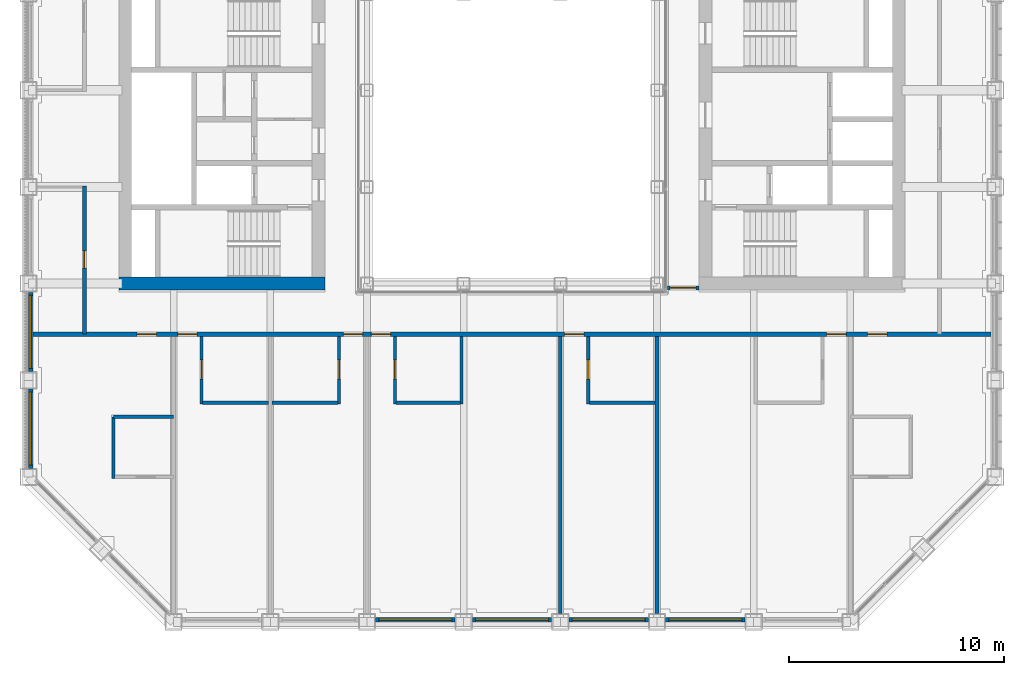
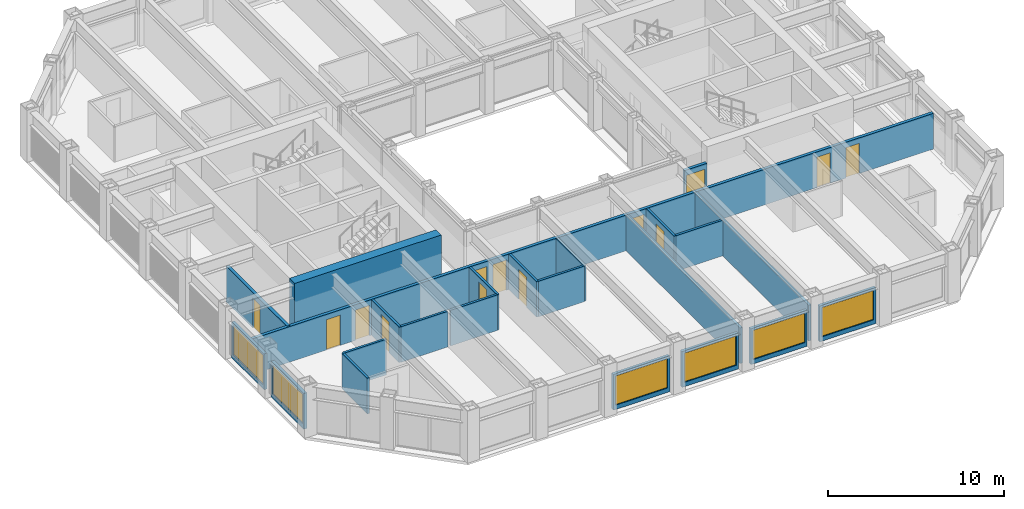
# One storey, part 10 of 17: 23 walls, 13 doors, 6 windows, 19 openings.
"""IFC4 building model written with IfcOpenShell, lengths in metres."""

from ifc_helpers import new_model, si_unit, direction, frame, frame_2d, origin, place, context, subcontext, project, spatial, rectangle, extrude, material, layer, layer_set, type_object, element, fill, save


model = new_model("IFC4")

# Units and contexts
model_context = context("Model", 3, precision=1e-05, world=origin(), true_north=direction((0.0, 1.0)))
body_context = subcontext(model_context, "Body", "Model", "MODEL_VIEW")
ifc_project = project(units=[si_unit("LENGTHUNIT", "METRE"), si_unit("AREAUNIT", "SQUARE_METRE"), si_unit("VOLUMEUNIT", "CUBIC_METRE"), si_unit("PLANEANGLEUNIT", "RADIAN"), si_unit("MASSUNIT", "GRAM", prefix="KILO")], contexts=[model_context])

# Site, building, storey
site_placement = place(None, origin())
site = spatial("IfcSite", under=ifc_project, at=site_placement, CompositionType="ELEMENT")
building_placement = place(site_placement, origin())
building = spatial("IfcBuilding", under=site, at=building_placement, Name="Msasa Ring Tower", CompositionType="ELEMENT")
storey_placement = place(building_placement, frame((0.0, 0.0, 143.60009765625)))
storey = spatial("IfcBuildingStorey", under=building, at=storey_placement, Name="L37", CompositionType="ELEMENT", Elevation=143.60009765625)

# Wall
ifc_material_1 = material(Name="Concrete C60/75", Category="concrete")
ifc_layer_1 = layer(ifc_material_1, 0.60009765625)
ifc_layer_set_1 = layer_set([ifc_layer_1], Name="CW2 CORE WALL 600")
wall_type_1 = type_object("IfcWallType", Name="CW2 CORE WALL 600", PredefinedType="SHEAR", material=ifc_layer_set_1)
wall_1_placement = place(storey_placement, frame((-8.699951171875, -6.75, 0.0), z_axis=(0.0, 0.0, 1.0), x_axis=(-1.0, 0.0, 0.0)))
element("IfcWall", 1, at=wall_1_placement, inside=storey, type_object=wall_type_1, Name="W core wall S L37", PredefinedType="SHEAR", context=body_context, shape_type="SweptSolid", body=[
    extrude(rectangle(XDim=9.60009765625, YDim=0.60009765625, at=frame_2d((4.800048828125, 0.0))), origin(), (0.0, 0.0, 1.0), 3.599853515625),
])

# Wall, opening, window
ifc_material_2 = material(Name="Terracotta rainscreen on blockwork", Category="masonry")
ifc_layer_2 = layer(ifc_material_2, 0.199951171875)
ifc_layer_set_2 = layer_set([ifc_layer_2], Name="FW1 TERRACOTTA-LINED INFILL BAY WALL 200")
wall_type_2 = type_object("IfcWallType", Name="FW1 TERRACOTTA-LINED INFILL BAY WALL 200", PredefinedType="SOLIDWALL", material=ifc_layer_set_2)
wall_2_placement = place(storey_placement, frame((-6.344970703125, -22.39990234375, 0.0), z_axis=(0.0, 0.0, 1.0), x_axis=(1.0, 0.0, 0.0)))
wall_2 = element("IfcWall", 2, at=wall_2_placement, inside=storey, type_object=wall_type_2, Name="Infill bay wall S L37 02", PredefinedType="SOLIDWALL", context=body_context, shape_type="SweptSolid", body=[
    extrude(rectangle(XDim=3.68994140625, YDim=0.199951171875, at=frame_2d((1.844970703125, 0.0))), origin(), (0.0, 0.0, 1.0), 2.47900390625),
])
opening_1_placement = place(wall_2_placement, frame((0.14501953125, 0.0, 0.300048828125)))
opening_1 = element("IfcOpeningElement", 3, at=opening_1_placement, cuts=wall_2, Name="Opening WN2", PredefinedType="OPENING", context=body_context, shape_type="SweptSolid", body=[
    extrude(rectangle(XDim=3.39990234375, YDim=2.029052734375, at=frame_2d((1.699951171875, 1.0146484375))), frame((0.0, 0.10986328125, 0.0), z_axis=(0.0, -1.0, 0.0), x_axis=(1.0, 0.0, 0.0)), (0.0, 0.0, 1.0), 0.219970703125),
])
ifc_material_3 = material(Name="Aluminium frame with clear glass", Category="aluminium")
window_type = type_object("IfcWindowType", Name="WN2 GUEST ROOM WINDOW 3400x2029", PartitioningType="SINGLE_PANEL", PredefinedType="WINDOW", material=ifc_material_3)
window_1_placement = place(opening_1_placement, origin())
window_1 = element("IfcWindow", 4, at=window_1_placement, inside=storey, type_object=window_type, Name="Window S L37 02", OverallHeight=2.029052734375, OverallWidth=3.39990234375, PartitioningType="SINGLE_PANEL", PredefinedType="WINDOW", context=body_context, shape_type="SweptSolid", body=[
    extrude(rectangle(XDim=3.39990234375, YDim=2.029052734375, at=frame_2d((1.699951171875, 1.0146484375))), frame((0.0, 0.030029296875, 0.0), z_axis=(0.0, -1.0, 0.0), x_axis=(1.0, 0.0, 0.0)), (0.0, 0.0, 1.0), 0.06005859375),
])
fill(opening_1, window_1)

wall_3_placement = place(storey_placement, frame((-1.844970703125, -22.39990234375, 0.0), z_axis=(0.0, 0.0, 1.0), x_axis=(1.0, 0.0, 0.0)))
wall_3 = element("IfcWall", 5, at=wall_3_placement, inside=storey, type_object=wall_type_2, Name="Infill bay wall S L37 03", PredefinedType="SOLIDWALL", context=body_context, shape_type="SweptSolid", body=[
    extrude(rectangle(XDim=3.68994140625, YDim=0.199951171875, at=frame_2d((1.844970703125, 0.0))), origin(), (0.0, 0.0, 1.0), 2.47900390625),
])
opening_2_placement = place(wall_3_placement, frame((0.14501953125, 0.0, 0.300048828125)))
opening_2 = element("IfcOpeningElement", 6, at=opening_2_placement, cuts=wall_3, Name="Opening WN2", PredefinedType="OPENING", context=body_context, shape_type="SweptSolid", body=[
    extrude(rectangle(XDim=3.39990234375, YDim=2.029052734375, at=frame_2d((1.699951171875, 1.0146484375))), frame((0.0, 0.10986328125, 0.0), z_axis=(0.0, -1.0, 0.0), x_axis=(1.0, 0.0, 0.0)), (0.0, 0.0, 1.0), 0.219970703125),
])
window_2_placement = place(opening_2_placement, origin())
window_2 = element("IfcWindow", 7, at=window_2_placement, inside=storey, type_object=window_type, Name="Window S L37 03", OverallHeight=2.029052734375, OverallWidth=3.39990234375, PartitioningType="SINGLE_PANEL", PredefinedType="WINDOW", context=body_context, shape_type="SweptSolid", body=[
    extrude(rectangle(XDim=3.39990234375, YDim=2.029052734375, at=frame_2d((1.699951171875, 1.0146484375))), frame((0.0, 0.030029296875, 0.0), z_axis=(0.0, -1.0, 0.0), x_axis=(1.0, 0.0, 0.0)), (0.0, 0.0, 1.0), 0.06005859375),
])
fill(opening_2, window_2)

wall_4_placement = place(storey_placement, frame((2.655029296875, -22.39990234375, 0.0), z_axis=(0.0, 0.0, 1.0), x_axis=(1.0, 0.0, 0.0)))
wall_4 = element("IfcWall", 8, at=wall_4_placement, inside=storey, type_object=wall_type_2, Name="Infill bay wall S L37 04", PredefinedType="SOLIDWALL", context=body_context, shape_type="SweptSolid", body=[
    extrude(rectangle(XDim=3.68994140625, YDim=0.199951171875, at=frame_2d((1.844970703125, 0.0))), origin(), (0.0, 0.0, 1.0), 2.47900390625),
])
opening_3_placement = place(wall_4_placement, frame((0.14501953125, 0.0, 0.300048828125)))
opening_3 = element("IfcOpeningElement", 9, at=opening_3_placement, cuts=wall_4, Name="Opening WN2", PredefinedType="OPENING", context=body_context, shape_type="SweptSolid", body=[
    extrude(rectangle(XDim=3.39990234375, YDim=2.029052734375, at=frame_2d((1.699951171875, 1.0146484375))), frame((0.0, 0.10986328125, 0.0), z_axis=(0.0, -1.0, 0.0), x_axis=(1.0, 0.0, 0.0)), (0.0, 0.0, 1.0), 0.219970703125),
])
window_3_placement = place(opening_3_placement, origin())
window_3 = element("IfcWindow", 10, at=window_3_placement, inside=storey, type_object=window_type, Name="Window S L37 04", OverallHeight=2.029052734375, OverallWidth=3.39990234375, PartitioningType="SINGLE_PANEL", PredefinedType="WINDOW", context=body_context, shape_type="SweptSolid", body=[
    extrude(rectangle(XDim=3.39990234375, YDim=2.029052734375, at=frame_2d((1.699951171875, 1.0146484375))), frame((0.0, 0.030029296875, 0.0), z_axis=(0.0, -1.0, 0.0), x_axis=(1.0, 0.0, 0.0)), (0.0, 0.0, 1.0), 0.06005859375),
])
fill(opening_3, window_3)

wall_5_placement = place(storey_placement, frame((7.155029296875, -22.39990234375, 0.0), z_axis=(0.0, 0.0, 1.0), x_axis=(1.0, 0.0, 0.0)))
wall_5 = element("IfcWall", 11, at=wall_5_placement, inside=storey, type_object=wall_type_2, Name="Infill bay wall S L37 05", PredefinedType="SOLIDWALL", context=body_context, shape_type="SweptSolid", body=[
    extrude(rectangle(XDim=3.68994140625, YDim=0.199951171875, at=frame_2d((1.844970703125, 0.0))), origin(), (0.0, 0.0, 1.0), 2.47900390625),
])
opening_4_placement = place(wall_5_placement, frame((0.14501953125, 0.0, 0.300048828125)))
opening_4 = element("IfcOpeningElement", 12, at=opening_4_placement, cuts=wall_5, Name="Opening WN2", PredefinedType="OPENING", context=body_context, shape_type="SweptSolid", body=[
    extrude(rectangle(XDim=3.39990234375, YDim=2.029052734375, at=frame_2d((1.699951171875, 1.0146484375))), frame((0.0, 0.10986328125, 0.0), z_axis=(0.0, -1.0, 0.0), x_axis=(1.0, 0.0, 0.0)), (0.0, 0.0, 1.0), 0.219970703125),
])
window_4_placement = place(opening_4_placement, origin())
window_4 = element("IfcWindow", 13, at=window_4_placement, inside=storey, type_object=window_type, Name="Window S L37 05", OverallHeight=2.029052734375, OverallWidth=3.39990234375, PartitioningType="SINGLE_PANEL", PredefinedType="WINDOW", context=body_context, shape_type="SweptSolid", body=[
    extrude(rectangle(XDim=3.39990234375, YDim=2.029052734375, at=frame_2d((1.699951171875, 1.0146484375))), frame((0.0, 0.030029296875, 0.0), z_axis=(0.0, -1.0, 0.0), x_axis=(1.0, 0.0, 0.0)), (0.0, 0.0, 1.0), 0.06005859375),
])
fill(opening_4, window_4)

wall_6_placement = place(storey_placement, frame((-22.39990234375, -15.344970703125, 0.0), z_axis=(0.0, 0.0, 1.0), x_axis=(0.0, 1.0, 0.0)))
wall_6 = element("IfcWall", 14, at=wall_6_placement, inside=storey, type_object=wall_type_2, Name="Infill bay wall W L37 27", PredefinedType="SOLIDWALL", context=body_context, shape_type="SweptSolid", body=[
    extrude(rectangle(XDim=3.68994140625, YDim=0.199951171875, at=frame_2d((1.844970703125, 0.0))), origin(), (0.0, 0.0, 1.0), 2.47900390625),
])
opening_5_placement = place(wall_6_placement, frame((0.14501953125, 0.0, 0.300048828125)))
opening_5 = element("IfcOpeningElement", 15, at=opening_5_placement, cuts=wall_6, Name="Opening WN2", PredefinedType="OPENING", context=body_context, shape_type="SweptSolid", body=[
    extrude(rectangle(XDim=3.39990234375, YDim=2.029052734375, at=frame_2d((1.699951171875, 1.0146484375))), frame((0.0, 0.10986328125, 0.0), z_axis=(0.0, -1.0, 0.0), x_axis=(1.0, 0.0, 0.0)), (0.0, 0.0, 1.0), 0.219970703125),
])
window_5_placement = place(opening_5_placement, origin())
window_5 = element("IfcWindow", 16, at=window_5_placement, inside=storey, type_object=window_type, Name="Window W L37 27", OverallHeight=2.029052734375, OverallWidth=3.39990234375, PartitioningType="SINGLE_PANEL", PredefinedType="WINDOW", context=body_context, shape_type="SweptSolid", body=[
    extrude(rectangle(XDim=3.39990234375, YDim=2.029052734375, at=frame_2d((1.699951171875, 1.0146484375))), frame((0.0, 0.030029296875, 0.0), z_axis=(0.0, -1.0, 0.0), x_axis=(1.0, 0.0, 0.0)), (0.0, 0.0, 1.0), 0.06005859375),
])
fill(opening_5, window_5)

wall_7_placement = place(storey_placement, frame((-22.39990234375, -10.844970703125, 0.0), z_axis=(0.0, 0.0, 1.0), x_axis=(0.0, 1.0, 0.0)))
wall_7 = element("IfcWall", 17, at=wall_7_placement, inside=storey, type_object=wall_type_2, Name="Infill bay wall W L37 28", PredefinedType="SOLIDWALL", context=body_context, shape_type="SweptSolid", body=[
    extrude(rectangle(XDim=3.68994140625, YDim=0.199951171875, at=frame_2d((1.844970703125, 0.0))), origin(), (0.0, 0.0, 1.0), 2.47900390625),
])
opening_6_placement = place(wall_7_placement, frame((0.14501953125, 0.0, 0.300048828125)))
opening_6 = element("IfcOpeningElement", 18, at=opening_6_placement, cuts=wall_7, Name="Opening WN2", PredefinedType="OPENING", context=body_context, shape_type="SweptSolid", body=[
    extrude(rectangle(XDim=3.39990234375, YDim=2.029052734375, at=frame_2d((1.699951171875, 1.0146484375))), frame((0.0, 0.10986328125, 0.0), z_axis=(0.0, -1.0, 0.0), x_axis=(1.0, 0.0, 0.0)), (0.0, 0.0, 1.0), 0.219970703125),
])
window_6_placement = place(opening_6_placement, origin())
window_6 = element("IfcWindow", 19, at=window_6_placement, inside=storey, type_object=window_type, Name="Window W L37 28", OverallHeight=2.029052734375, OverallWidth=3.39990234375, PartitioningType="SINGLE_PANEL", PredefinedType="WINDOW", context=body_context, shape_type="SweptSolid", body=[
    extrude(rectangle(XDim=3.39990234375, YDim=2.029052734375, at=frame_2d((1.699951171875, 1.0146484375))), frame((0.0, 0.030029296875, 0.0), z_axis=(0.0, -1.0, 0.0), x_axis=(1.0, 0.0, 0.0)), (0.0, 0.0, 1.0), 0.06005859375),
])
fill(opening_6, window_6)

# Wall, opening, door
ifc_material_4 = material(Name="Concrete blockwork", Category="masonry")
ifc_layer_3 = layer(ifc_material_4, 0.199951171875)
ifc_layer_set_3 = layer_set([ifc_layer_3], Name="PT1 CORRIDOR WALL 200")
wall_type_3 = type_object("IfcWallType", Name="PT1 CORRIDOR WALL 200", PredefinedType="PARTITIONING", material=ifc_layer_set_3)
wall_8_placement = place(storey_placement, frame((7.22998046875, -6.949951171875, 0.0), z_axis=(0.0, 0.0, 1.0), x_axis=(1.0, 0.0, 0.0)))
wall_8 = element("IfcWall", 20, at=wall_8_placement, inside=storey, type_object=wall_type_3, Name="Corridor wall L37-SDES", PredefinedType="PARTITIONING", context=body_context, shape_type="SweptSolid", body=[
    extrude(rectangle(XDim=1.469970703125, YDim=0.199951171875, at=frame_2d((0.73486328125, 0.0))), origin(), (0.0, 0.0, 1.0), 2.473388671875),
])
opening_7_placement = place(wall_8_placement, frame((0.135009765625, 0.0, 0.0)))
opening_7 = element("IfcOpeningElement", 21, at=opening_7_placement, cuts=wall_8, Name="Opening HC-033", PredefinedType="OPENING", context=body_context, shape_type="SweptSolid", body=[
    extrude(rectangle(XDim=1.199951171875, YDim=2.10009765625, at=frame_2d((0.60009765625, 1.050048828125))), frame((0.0, 0.10986328125, 0.0), z_axis=(0.0, -1.0, 0.0), x_axis=(1.0, 0.0, 0.0)), (0.0, 0.0, 1.0), 0.219970703125),
])
ifc_material_5 = material(Name="Timber door leaf in a steel frame", Category="steel")
door_type_1 = type_object("IfcDoorType", Name="D25 CORRIDOR PAIR OF SMOKE DOORS 1200x2100", OperationType="DOUBLE_DOOR_DOUBLE_SWING", PredefinedType="DOOR", material=ifc_material_5)
door_1_placement = place(opening_7_placement, origin())
door_1 = element("IfcDoor", 22, at=door_1_placement, inside=storey, type_object=door_type_1, Name="Door L37-SDES", OperationType="DOUBLE_DOOR_DOUBLE_SWING", OverallHeight=2.10009765625, OverallWidth=1.199951171875, PredefinedType="DOOR", context=body_context, shape_type="SweptSolid", body=[
    extrude(rectangle(XDim=1.199951171875, YDim=2.10009765625, at=frame_2d((0.60009765625, 1.050048828125))), frame((0.0, 0.02490234375, 0.0), z_axis=(0.0, -1.0, 0.0), x_axis=(1.0, 0.0, 0.0)), (0.0, 0.0, 1.0), 0.050048828125),
])
fill(opening_7, door_1)

# Wall, openings, doors
wall_9_placement = place(storey_placement, frame((-22.300048828125, -9.10009765625, 0.0), z_axis=(0.0, 0.0, 1.0), x_axis=(1.0, 0.0, 0.0)))
wall_9 = element("IfcWall", 23, at=wall_9_placement, inside=storey, type_object=wall_type_3, Name="Corridor wall L37-CORRS0", PredefinedType="PARTITIONING", context=body_context, shape_type="SweptSolid", body=[
    extrude(rectangle(XDim=44.60009765625, YDim=0.199951171875, at=frame_2d((22.300048828125, 0.0))), origin(), (0.0, 0.0, 1.0), 2.473388671875),
])
opening_8_placement = place(wall_9_placement, frame((6.75, 0.0, 0.0)))
opening_8 = element("IfcOpeningElement", 24, at=opening_8_placement, cuts=wall_9, Name="Opening HC-035", PredefinedType="OPENING", context=body_context, shape_type="SweptSolid", body=[
    extrude(rectangle(XDim=0.89990234375, YDim=2.10009765625, at=frame_2d((0.449951171875, 1.050048828125))), frame((0.0, 0.10986328125, 0.0), z_axis=(0.0, -1.0, 0.0), x_axis=(1.0, 0.0, 0.0)), (0.0, 0.0, 1.0), 0.219970703125),
])
opening_9_placement = place(wall_9_placement, frame((14.449951171875, 0.0, 0.0)))
opening_9 = element("IfcOpeningElement", 25, at=opening_9_placement, cuts=wall_9, Name="Opening HC-036", PredefinedType="OPENING", context=body_context, shape_type="SweptSolid", body=[
    extrude(rectangle(XDim=0.89990234375, YDim=2.10009765625, at=frame_2d((0.449951171875, 1.050048828125))), frame((0.0, 0.10986328125, 0.0), z_axis=(0.0, -1.0, 0.0), x_axis=(1.0, 0.0, 0.0)), (0.0, 0.0, 1.0), 0.219970703125),
])
opening_10_placement = place(wall_9_placement, frame((15.75, 0.0, 0.0)))
opening_10 = element("IfcOpeningElement", 26, at=opening_10_placement, cuts=wall_9, Name="Opening HC-037", PredefinedType="OPENING", context=body_context, shape_type="SweptSolid", body=[
    extrude(rectangle(XDim=0.89990234375, YDim=2.10009765625, at=frame_2d((0.449951171875, 1.050048828125))), frame((0.0, 0.10986328125, 0.0), z_axis=(0.0, -1.0, 0.0), x_axis=(1.0, 0.0, 0.0)), (0.0, 0.0, 1.0), 0.219970703125),
])
opening_11_placement = place(wall_9_placement, frame((24.75, 0.0, 0.0)))
opening_11 = element("IfcOpeningElement", 27, at=opening_11_placement, cuts=wall_9, Name="Opening HC-038", PredefinedType="OPENING", context=body_context, shape_type="SweptSolid", body=[
    extrude(rectangle(XDim=0.89990234375, YDim=2.10009765625, at=frame_2d((0.449951171875, 1.050048828125))), frame((0.0, 0.10986328125, 0.0), z_axis=(0.0, -1.0, 0.0), x_axis=(1.0, 0.0, 0.0)), (0.0, 0.0, 1.0), 0.219970703125),
])
opening_12_placement = place(wall_9_placement, frame((36.949951171875, 0.0, 0.0)))
opening_12 = element("IfcOpeningElement", 28, at=opening_12_placement, cuts=wall_9, Name="Opening HC-039", PredefinedType="OPENING", context=body_context, shape_type="SweptSolid", body=[
    extrude(rectangle(XDim=0.89990234375, YDim=2.10009765625, at=frame_2d((0.449951171875, 1.050048828125))), frame((0.0, 0.10986328125, 0.0), z_axis=(0.0, -1.0, 0.0), x_axis=(1.0, 0.0, 0.0)), (0.0, 0.0, 1.0), 0.219970703125),
])
opening_13_placement = place(wall_9_placement, frame((38.85009765625, 0.0, 0.0)))
opening_13 = element("IfcOpeningElement", 29, at=opening_13_placement, cuts=wall_9, Name="Opening HC-040", PredefinedType="OPENING", context=body_context, shape_type="SweptSolid", body=[
    extrude(rectangle(XDim=0.89990234375, YDim=2.10009765625, at=frame_2d((0.449951171875, 1.050048828125))), frame((0.0, 0.10986328125, 0.0), z_axis=(0.0, -1.0, 0.0), x_axis=(1.0, 0.0, 0.0)), (0.0, 0.0, 1.0), 0.219970703125),
])
opening_14_placement = place(wall_9_placement, frame((4.85009765625, 0.0, 0.0)))
opening_14 = element("IfcOpeningElement", 30, at=opening_14_placement, cuts=wall_9, Name="Opening HC-034", PredefinedType="OPENING", context=body_context, shape_type="SweptSolid", body=[
    extrude(rectangle(XDim=0.89990234375, YDim=2.10009765625, at=frame_2d((0.449951171875, 1.050048828125))), frame((0.0, 0.10986328125, 0.0), z_axis=(0.0, -1.0, 0.0), x_axis=(1.0, 0.0, 0.0)), (0.0, 0.0, 1.0), 0.219970703125),
])
ifc_material_6 = material(Name="Timber door leaf in a steel frame", Category="steel")
door_type_2 = type_object("IfcDoorType", Name="D1 SINGLE DOOR TO CORRIDOR 900x2100", OperationType="SINGLE_SWING_LEFT", PredefinedType="DOOR", material=ifc_material_6)
door_2_placement = place(opening_8_placement, origin())
door_2 = element("IfcDoor", 31, at=door_2_placement, inside=storey, type_object=door_type_2, Name="Door L37-GS00", OperationType="SINGLE_SWING_LEFT", OverallHeight=2.10009765625, OverallWidth=0.89990234375, PredefinedType="DOOR", context=body_context, shape_type="SweptSolid", body=[
    extrude(rectangle(XDim=0.89990234375, YDim=2.10009765625, at=frame_2d((0.449951171875, 1.050048828125))), frame((0.0, 0.02490234375, 0.0), z_axis=(0.0, -1.0, 0.0), x_axis=(1.0, 0.0, 0.0)), (0.0, 0.0, 1.0), 0.050048828125),
])
fill(opening_8, door_2)
door_3_placement = place(opening_9_placement, origin())
door_3 = element("IfcDoor", 32, at=door_3_placement, inside=storey, type_object=door_type_2, Name="Door L37-GS01", OperationType="SINGLE_SWING_LEFT", OverallHeight=2.10009765625, OverallWidth=0.89990234375, PredefinedType="DOOR", context=body_context, shape_type="SweptSolid", body=[
    extrude(rectangle(XDim=0.89990234375, YDim=2.10009765625, at=frame_2d((0.449951171875, 1.050048828125))), frame((0.0, 0.02490234375, 0.0), z_axis=(0.0, -1.0, 0.0), x_axis=(1.0, 0.0, 0.0)), (0.0, 0.0, 1.0), 0.050048828125),
])
fill(opening_9, door_3)
door_4_placement = place(opening_10_placement, origin())
door_4 = element("IfcDoor", 33, at=door_4_placement, inside=storey, type_object=door_type_2, Name="Door L37-GS02", OperationType="SINGLE_SWING_LEFT", OverallHeight=2.10009765625, OverallWidth=0.89990234375, PredefinedType="DOOR", context=body_context, shape_type="SweptSolid", body=[
    extrude(rectangle(XDim=0.89990234375, YDim=2.10009765625, at=frame_2d((0.449951171875, 1.050048828125))), frame((0.0, 0.02490234375, 0.0), z_axis=(0.0, -1.0, 0.0), x_axis=(1.0, 0.0, 0.0)), (0.0, 0.0, 1.0), 0.050048828125),
])
fill(opening_10, door_4)
door_5_placement = place(opening_11_placement, origin())
door_5 = element("IfcDoor", 34, at=door_5_placement, inside=storey, type_object=door_type_2, Name="Door L37-GS03", OperationType="SINGLE_SWING_RIGHT", OverallHeight=2.10009765625, OverallWidth=0.89990234375, PredefinedType="DOOR", context=body_context, shape_type="SweptSolid", body=[
    extrude(rectangle(XDim=0.89990234375, YDim=2.10009765625, at=frame_2d((0.449951171875, 1.050048828125))), frame((0.0, 0.02490234375, 0.0), z_axis=(0.0, -1.0, 0.0), x_axis=(1.0, 0.0, 0.0)), (0.0, 0.0, 1.0), 0.050048828125),
])
fill(opening_11, door_5)
door_6_placement = place(opening_12_placement, origin())
door_6 = element("IfcDoor", 35, at=door_6_placement, inside=storey, type_object=door_type_2, Name="Door L37-GS04", OperationType="SINGLE_SWING_RIGHT", OverallHeight=2.10009765625, OverallWidth=0.89990234375, PredefinedType="DOOR", context=body_context, shape_type="SweptSolid", body=[
    extrude(rectangle(XDim=0.89990234375, YDim=2.10009765625, at=frame_2d((0.449951171875, 1.050048828125))), frame((0.0, 0.02490234375, 0.0), z_axis=(0.0, -1.0, 0.0), x_axis=(1.0, 0.0, 0.0)), (0.0, 0.0, 1.0), 0.050048828125),
])
fill(opening_12, door_6)
ifc_material_7 = material(Name="Timber door leaf in a steel frame", Category="steel")
door_type_3 = type_object("IfcDoorType", Name="D2 ENTRANCE DOOR 900x2100", OperationType="SINGLE_SWING_LEFT", PredefinedType="DOOR", material=ifc_material_7)
door_7_placement = place(opening_13_placement, origin())
door_7 = element("IfcDoor", 36, at=door_7_placement, inside=storey, type_object=door_type_3, Name="Door L37-CSSE", OperationType="SINGLE_SWING_RIGHT", OverallHeight=2.10009765625, OverallWidth=0.89990234375, PredefinedType="DOOR", context=body_context, shape_type="SweptSolid", body=[
    extrude(rectangle(XDim=0.89990234375, YDim=2.10009765625, at=frame_2d((0.449951171875, 1.050048828125))), frame((0.0, 0.02490234375, 0.0), z_axis=(0.0, -1.0, 0.0), x_axis=(1.0, 0.0, 0.0)), (0.0, 0.0, 1.0), 0.050048828125),
])
fill(opening_13, door_7)
door_8_placement = place(opening_14_placement, origin())
door_8 = element("IfcDoor", 37, at=door_8_placement, inside=storey, type_object=door_type_3, Name="Door L37-CSSW", OperationType="SINGLE_SWING_LEFT", OverallHeight=2.10009765625, OverallWidth=0.89990234375, PredefinedType="DOOR", context=body_context, shape_type="SweptSolid", body=[
    extrude(rectangle(XDim=0.89990234375, YDim=2.10009765625, at=frame_2d((0.449951171875, 1.050048828125))), frame((0.0, 0.02490234375, 0.0), z_axis=(0.0, -1.0, 0.0), x_axis=(1.0, 0.0, 0.0)), (0.0, 0.0, 1.0), 0.050048828125),
])
fill(opening_14, door_8)

# Wall, opening, door
wall_10_placement = place(storey_placement, frame((-19.89990234375, -9.10009765625, 0.0), z_axis=(0.0, 0.0, 1.0), x_axis=(0.0, 1.0, 0.0)))
wall_10 = element("IfcWall", 38, at=wall_10_placement, inside=storey, type_object=wall_type_3, Name="Corridor wall L37-STRWS", PredefinedType="PARTITIONING", context=body_context, shape_type="SweptSolid", body=[
    extrude(rectangle(XDim=6.900146484375, YDim=0.199951171875, at=frame_2d((3.4501953125, 0.0))), origin(), (0.0, 0.0, 1.0), 2.473388671875),
])
opening_15_placement = place(wall_10_placement, frame((3.074951171875, 0.0, 0.0)))
opening_15 = element("IfcOpeningElement", 39, at=opening_15_placement, cuts=wall_10, Name="Opening HC-032", PredefinedType="OPENING", context=body_context, shape_type="SweptSolid", body=[
    extrude(rectangle(XDim=0.800048828125, YDim=2.10009765625, at=frame_2d((0.39990234375, 1.050048828125))), frame((0.0, 0.10986328125, 0.0), z_axis=(0.0, -1.0, 0.0), x_axis=(1.0, 0.0, 0.0)), (0.0, 0.0, 1.0), 0.219970703125),
])
ifc_material_8 = material(Name="Timber door leaf in a steel frame", Category="steel")
door_type_4 = type_object("IfcDoorType", Name="D11 NARROW STORE DOOR 800x2100", OperationType="SINGLE_SWING_LEFT", PredefinedType="DOOR", material=ifc_material_8)
door_9_placement = place(opening_15_placement, origin())
door_9 = element("IfcDoor", 40, at=door_9_placement, inside=storey, type_object=door_type_4, Name="Door L37-CLW", OperationType="SINGLE_SWING_LEFT", OverallHeight=2.10009765625, OverallWidth=0.800048828125, PredefinedType="DOOR", context=body_context, shape_type="SweptSolid", body=[
    extrude(rectangle(XDim=0.800048828125, YDim=2.10009765625, at=frame_2d((0.39990234375, 1.050048828125))), frame((0.0, 0.02490234375, 0.0), z_axis=(0.0, -1.0, 0.0), x_axis=(1.0, 0.0, 0.0)), (0.0, 0.0, 1.0), 0.050048828125),
])
fill(opening_15, door_9)

ifc_material_9 = material(Name="Moisture-resistant board on steel studs with a concealed cistern and pipe void, tiled", Category="steel")
ifc_layer_4 = layer(ifc_material_9, 0.14990234375)
ifc_layer_set_4 = layer_set([ifc_layer_4], Name="PT4 BATHROOM WET WALL 150")
wall_type_4 = type_object("IfcWallType", Name="PT4 BATHROOM WET WALL 150", PredefinedType="PARTITIONING", material=ifc_layer_set_4)
wall_11_placement = place(storey_placement, frame((-14.449951171875, -12.35009765625, 0.0), z_axis=(0.0, 0.0, 1.0), x_axis=(0.0, 1.0, 0.0)))
wall_11 = element("IfcWall", 41, at=wall_11_placement, inside=storey, type_object=wall_type_4, Name="Partition L37-GS00BX", PredefinedType="PARTITIONING", context=body_context, shape_type="SweptSolid", body=[
    extrude(rectangle(XDim=3.150146484375, YDim=0.14990234375, at=frame_2d((1.5751953125, 0.0))), origin(), (0.0, 0.0, 1.0), 2.473388671875),
])
opening_16_placement = place(wall_11_placement, frame((1.14990234375, 0.0, 0.0)))
opening_16 = element("IfcOpeningElement", 42, at=opening_16_placement, cuts=wall_11, Name="Opening HC-041", PredefinedType="OPENING", context=body_context, shape_type="SweptSolid", body=[
    extrude(rectangle(XDim=0.89990234375, YDim=2.10009765625, at=frame_2d((0.449951171875, 1.050048828125))), frame((0.0, 0.0849609375, 0.0), z_axis=(0.0, -1.0, 0.0), x_axis=(1.0, 0.0, 0.0)), (0.0, 0.0, 1.0), 0.169921875),
])
ifc_material_10 = material(Name="Timber door leaf in a steel frame", Category="steel")
door_type_5 = type_object("IfcDoorType", Name="D3 BATHROOM DOOR 900x2100", OperationType="SINGLE_SWING_LEFT", PredefinedType="DOOR", material=ifc_material_10)
door_10_placement = place(opening_16_placement, origin())
door_10 = element("IfcDoor", 43, at=door_10_placement, inside=storey, type_object=door_type_5, Name="Door L37-GS00B", OperationType="SINGLE_SWING_LEFT", OverallHeight=2.10009765625, OverallWidth=0.89990234375, PredefinedType="DOOR", context=body_context, shape_type="SweptSolid", body=[
    extrude(rectangle(XDim=0.89990234375, YDim=2.10009765625, at=frame_2d((0.449951171875, 1.050048828125))), frame((0.0, 0.02490234375, 0.0), z_axis=(0.0, -1.0, 0.0), x_axis=(1.0, 0.0, 0.0)), (0.0, 0.0, 1.0), 0.050048828125),
])
fill(opening_16, door_10)

# Wall
wall_12_placement = place(storey_placement, frame((-14.39990234375, -12.300048828125, 0.0), z_axis=(0.0, 0.0, 1.0), x_axis=(1.0, 0.0, 0.0)))
element("IfcWall", 44, at=wall_12_placement, inside=storey, type_object=wall_type_4, Name="Partition L37-GS00BY", PredefinedType="PARTITIONING", context=body_context, shape_type="SweptSolid", body=[
    extrude(rectangle(XDim=3.0625, YDim=0.14990234375, at=frame_2d((1.53125, 0.0))), origin(), (0.0, 0.0, 1.0), 2.473388671875),
])

# Wall, opening, door
wall_13_placement = place(storey_placement, frame((-8.050048828125, -12.35009765625, 0.0), z_axis=(0.0, 0.0, 1.0), x_axis=(0.0, 1.0, 0.0)))
wall_13 = element("IfcWall", 45, at=wall_13_placement, inside=storey, type_object=wall_type_4, Name="Partition L37-GS01BX", PredefinedType="PARTITIONING", context=body_context, shape_type="SweptSolid", body=[
    extrude(rectangle(XDim=3.150146484375, YDim=0.14990234375, at=frame_2d((1.5751953125, 0.0))), origin(), (0.0, 0.0, 1.0), 2.473388671875),
])
opening_17_placement = place(wall_13_placement, frame((1.14990234375, 0.0, 0.0)))
opening_17 = element("IfcOpeningElement", 46, at=opening_17_placement, cuts=wall_13, Name="Opening HC-042", PredefinedType="OPENING", context=body_context, shape_type="SweptSolid", body=[
    extrude(rectangle(XDim=0.89990234375, YDim=2.10009765625, at=frame_2d((0.449951171875, 1.050048828125))), frame((0.0, 0.0849609375, 0.0), z_axis=(0.0, -1.0, 0.0), x_axis=(1.0, 0.0, 0.0)), (0.0, 0.0, 1.0), 0.169921875),
])
door_11_placement = place(opening_17_placement, origin())
door_11 = element("IfcDoor", 47, at=door_11_placement, inside=storey, type_object=door_type_5, Name="Door L37-GS01B", OperationType="SINGLE_SWING_LEFT", OverallHeight=2.10009765625, OverallWidth=0.89990234375, PredefinedType="DOOR", context=body_context, shape_type="SweptSolid", body=[
    extrude(rectangle(XDim=0.89990234375, YDim=2.10009765625, at=frame_2d((0.449951171875, 1.050048828125))), frame((0.0, 0.02490234375, 0.0), z_axis=(0.0, -1.0, 0.0), x_axis=(1.0, 0.0, 0.0)), (0.0, 0.0, 1.0), 0.050048828125),
])
fill(opening_17, door_11)

# Wall
wall_14_placement = place(storey_placement, frame((-11.16259765625, -12.300048828125, 0.0), z_axis=(0.0, 0.0, 1.0), x_axis=(1.0, 0.0, 0.0)))
element("IfcWall", 48, at=wall_14_placement, inside=storey, type_object=wall_type_4, Name="Partition L37-GS01BY", PredefinedType="PARTITIONING", context=body_context, shape_type="SweptSolid", body=[
    extrude(rectangle(XDim=3.0625, YDim=0.14990234375, at=frame_2d((1.53125, 0.0))), origin(), (0.0, 0.0, 1.0), 2.473388671875),
])

# Wall, opening, door
wall_15_placement = place(storey_placement, frame((-5.449951171875, -12.35009765625, 0.0), z_axis=(0.0, 0.0, 1.0), x_axis=(0.0, 1.0, 0.0)))
wall_15 = element("IfcWall", 49, at=wall_15_placement, inside=storey, type_object=wall_type_4, Name="Partition L37-GS02BX", PredefinedType="PARTITIONING", context=body_context, shape_type="SweptSolid", body=[
    extrude(rectangle(XDim=3.150146484375, YDim=0.14990234375, at=frame_2d((1.5751953125, 0.0))), origin(), (0.0, 0.0, 1.0), 2.473388671875),
])
opening_18_placement = place(wall_15_placement, frame((1.14990234375, 0.0, 0.0)))
opening_18 = element("IfcOpeningElement", 50, at=opening_18_placement, cuts=wall_15, Name="Opening HC-043", PredefinedType="OPENING", context=body_context, shape_type="SweptSolid", body=[
    extrude(rectangle(XDim=0.89990234375, YDim=2.10009765625, at=frame_2d((0.449951171875, 1.050048828125))), frame((0.0, 0.0849609375, 0.0), z_axis=(0.0, -1.0, 0.0), x_axis=(1.0, 0.0, 0.0)), (0.0, 0.0, 1.0), 0.169921875),
])
door_12_placement = place(opening_18_placement, origin())
door_12 = element("IfcDoor", 51, at=door_12_placement, inside=storey, type_object=door_type_5, Name="Door L37-GS02B", OperationType="SINGLE_SWING_LEFT", OverallHeight=2.10009765625, OverallWidth=0.89990234375, PredefinedType="DOOR", context=body_context, shape_type="SweptSolid", body=[
    extrude(rectangle(XDim=0.89990234375, YDim=2.10009765625, at=frame_2d((0.449951171875, 1.050048828125))), frame((0.0, 0.02490234375, 0.0), z_axis=(0.0, -1.0, 0.0), x_axis=(1.0, 0.0, 0.0)), (0.0, 0.0, 1.0), 0.050048828125),
])
fill(opening_18, door_12)

# Walls
wall_16_placement = place(storey_placement, frame((-2.35009765625, -12.35009765625, 0.0), z_axis=(0.0, 0.0, 1.0), x_axis=(0.0, 1.0, 0.0)))
element("IfcWall", 52, at=wall_16_placement, inside=storey, type_object=wall_type_4, Name="Partition L37-GS02BF", PredefinedType="PARTITIONING", context=body_context, shape_type="SweptSolid", body=[
    extrude(rectangle(XDim=3.150146484375, YDim=0.14990234375, at=frame_2d((1.5751953125, 0.0))), origin(), (0.0, 0.0, 1.0), 2.473388671875),
])
wall_17_placement = place(storey_placement, frame((-5.39990234375, -12.300048828125, 0.0), z_axis=(0.0, 0.0, 1.0), x_axis=(1.0, 0.0, 0.0)))
element("IfcWall", 53, at=wall_17_placement, inside=storey, type_object=wall_type_4, Name="Partition L37-GS02BY", PredefinedType="PARTITIONING", context=body_context, shape_type="SweptSolid", body=[
    extrude(rectangle(XDim=3.0, YDim=0.14990234375, at=frame_2d((1.5, 0.0))), origin(), (0.0, 0.0, 1.0), 2.473388671875),
])

# Wall, opening, door
wall_18_placement = place(storey_placement, frame((3.550048828125, -12.35009765625, 0.0), z_axis=(0.0, 0.0, 1.0), x_axis=(0.0, 1.0, 0.0)))
wall_18 = element("IfcWall", 54, at=wall_18_placement, inside=storey, type_object=wall_type_4, Name="Partition L37-GS03BX", PredefinedType="PARTITIONING", context=body_context, shape_type="SweptSolid", body=[
    extrude(rectangle(XDim=3.150146484375, YDim=0.14990234375, at=frame_2d((1.5751953125, 0.0))), origin(), (0.0, 0.0, 1.0), 2.473388671875),
])
opening_19_placement = place(wall_18_placement, frame((1.14990234375, 0.0, 0.0)))
opening_19 = element("IfcOpeningElement", 55, at=opening_19_placement, cuts=wall_18, Name="Opening HC-044", PredefinedType="OPENING", context=body_context, shape_type="SweptSolid", body=[
    extrude(rectangle(XDim=0.89990234375, YDim=2.10009765625, at=frame_2d((0.449951171875, 1.050048828125))), frame((0.0, 0.0849609375, 0.0), z_axis=(0.0, -1.0, 0.0), x_axis=(1.0, 0.0, 0.0)), (0.0, 0.0, 1.0), 0.169921875),
])
door_13_placement = place(opening_19_placement, origin())
door_13 = element("IfcDoor", 56, at=door_13_placement, inside=storey, type_object=door_type_5, Name="Door L37-GS03B", OperationType="SINGLE_SWING_LEFT", OverallHeight=2.10009765625, OverallWidth=0.89990234375, PredefinedType="DOOR", context=body_context, shape_type="SweptSolid", body=[
    extrude(rectangle(XDim=0.89990234375, YDim=2.10009765625, at=frame_2d((0.449951171875, 1.050048828125))), frame((0.0, 0.02490234375, 0.0), z_axis=(0.0, -1.0, 0.0), x_axis=(1.0, 0.0, 0.0)), (0.0, 0.0, 1.0), 0.050048828125),
])
fill(opening_19, door_13)

# Walls
wall_19_placement = place(storey_placement, frame((3.60009765625, -12.300048828125, 0.0), z_axis=(0.0, 0.0, 1.0), x_axis=(1.0, 0.0, 0.0)))
element("IfcWall", 57, at=wall_19_placement, inside=storey, type_object=wall_type_4, Name="Partition L37-GS03BY", PredefinedType="PARTITIONING", context=body_context, shape_type="SweptSolid", body=[
    extrude(rectangle(XDim=3.0625, YDim=0.14990234375, at=frame_2d((1.53125, 0.0))), origin(), (0.0, 0.0, 1.0), 2.473388671875),
])
wall_20_placement = place(storey_placement, frame((-18.550048828125, -15.824951171875, 0.0), z_axis=(0.0, 0.0, 1.0), x_axis=(0.0, 1.0, 0.0)))
element("IfcWall", 58, at=wall_20_placement, inside=storey, type_object=wall_type_4, Name="Partition L37-CSSWBX", PredefinedType="PARTITIONING", context=body_context, shape_type="SweptSolid", body=[
    extrude(rectangle(XDim=2.875, YDim=0.14990234375, at=frame_2d((1.4375, 0.0))), origin(), (0.0, 0.0, 1.0), 2.473388671875),
])
wall_21_placement = place(storey_placement, frame((-18.550048828125, -12.949951171875, 0.0), z_axis=(0.0, 0.0, 1.0), x_axis=(1.0, 0.0, 0.0)))
element("IfcWall", 59, at=wall_21_placement, inside=storey, type_object=wall_type_4, Name="Partition L37-CSSWBY", PredefinedType="PARTITIONING", context=body_context, shape_type="SweptSolid", body=[
    extrude(rectangle(XDim=2.800048828125, YDim=0.14990234375, at=frame_2d((1.39990234375, 0.0))), origin(), (0.0, 0.0, 1.0), 2.473388671875),
])
ifc_material_11 = material(Name="Twin steel studs, two layers of acoustic board each face, mineral wool", Category="steel")
ifc_layer_5 = layer(ifc_material_11, 0.175048828125)
ifc_layer_set_5 = layer_set([ifc_layer_5], Name="PT5 GUEST ROOM SEPARATING WALL 175")
wall_type_5 = type_object("IfcWallType", Name="PT5 GUEST ROOM SEPARATING WALL 175", PredefinedType="PARTITIONING", material=ifc_layer_set_5)
for number, where, z_axis, x_axis, name in (
    (60, (2.25, -22.10009765625, 0.0), (0.0, 0.0, 1.0), (0.0, 1.0, 0.0), "Partition L37-PWS+2.25"),
    (61, (6.75, -22.10009765625, 0.0), (0.0, 0.0, 1.0), (0.0, 1.0, 0.0), "Partition L37-PWS+6.75"),
):
    element("IfcWall", number, at=place(storey_placement, frame(where, z_axis=z_axis, x_axis=x_axis)), inside=storey, type_object=wall_type_5, Name=name, PredefinedType="PARTITIONING", context=body_context, shape_type="SweptSolid", body=[
        extrude(rectangle(XDim=12.900146484375, YDim=0.175048828125, at=frame_2d((6.4501953125, 0.0))), origin(), (0.0, 0.0, 1.0), 2.473388671875),
    ])

save(model, "model.ifc")
